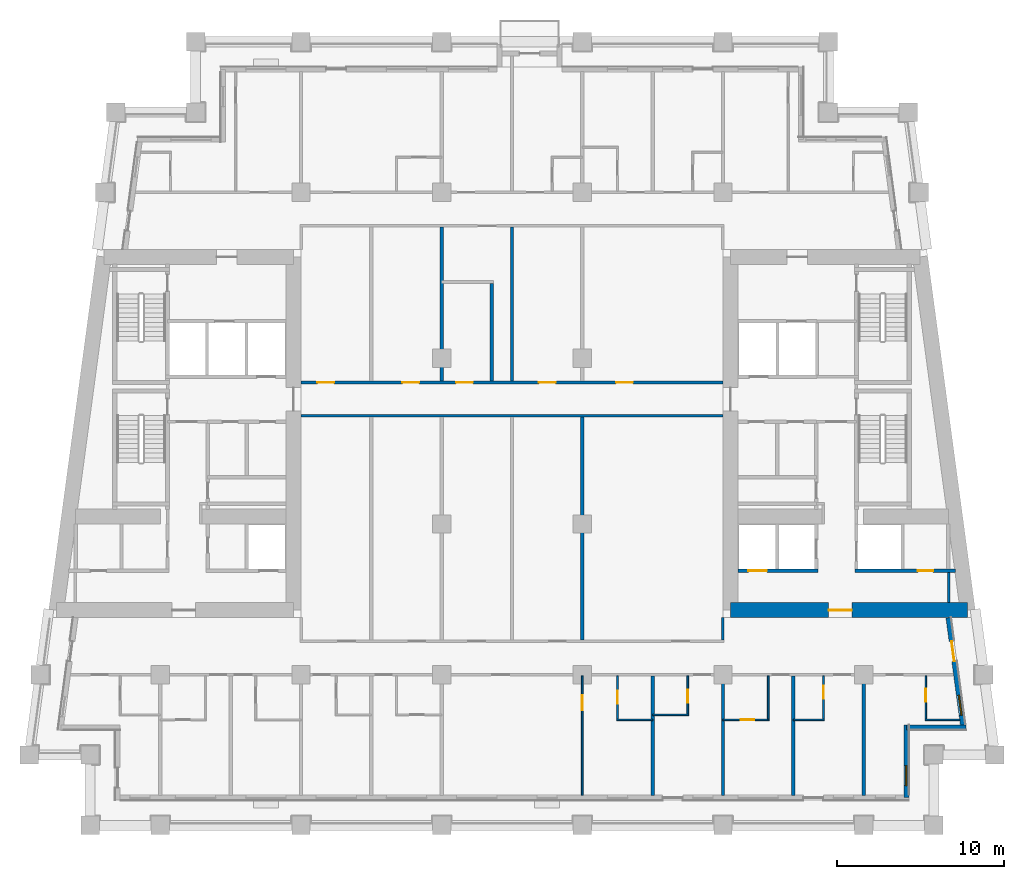
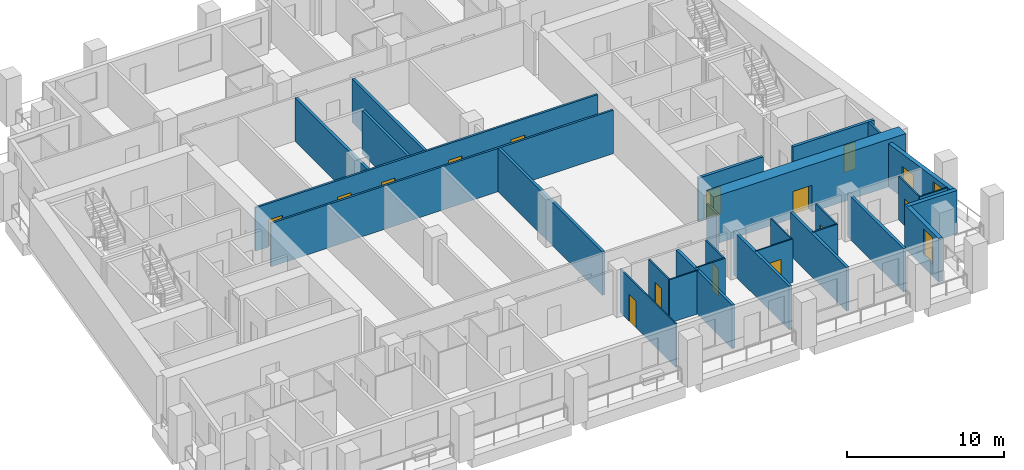
# One storey, part 5 of 14: 29 walls, 15 doors, 2 windows, 17 openings.
"""IFC4 building model written with IfcOpenShell, lengths in metres."""

from ifc_helpers import new_model, si_unit, direction, frame, frame_2d, origin, place, context, subcontext, project, spatial, rectangle, extrude, material, layer, layer_set, type_object, element, fill, save


model = new_model("IFC4")

# Units and contexts
model_context = context("Model", 3, precision=1e-05, world=origin(), true_north=direction((0.0, 1.0)))
body_context = subcontext(model_context, "Body", "Model", "MODEL_VIEW")
ifc_project = project(units=[si_unit("LENGTHUNIT", "METRE"), si_unit("AREAUNIT", "SQUARE_METRE"), si_unit("VOLUMEUNIT", "CUBIC_METRE"), si_unit("PLANEANGLEUNIT", "RADIAN"), si_unit("MASSUNIT", "GRAM", prefix="KILO")], contexts=[model_context])

# Site, building, storey
site_placement = place(None, origin())
site = spatial("IfcSite", under=ifc_project, at=site_placement, CompositionType="ELEMENT")
building_placement = place(site_placement, origin())
building = spatial("IfcBuilding", under=site, at=building_placement, Name="Candeia Pilgrim Tower and Theatre", CompositionType="ELEMENT")
storey_placement = place(building_placement, frame((0.0, 0.0, 173.699951171875)))
storey = spatial("IfcBuildingStorey", under=building, at=storey_placement, Name="L41", CompositionType="ELEMENT", Elevation=173.699951171875)

# Wall, opening, door
ifc_material_1 = material(Name="Concrete C60/75", Category="concrete")
ifc_layer_1 = layer(ifc_material_1, 0.89990234375)
ifc_layer_set_1 = layer_set([ifc_layer_1], Name="Core wall 900 C60/75")
wall_type_1 = type_object("IfcWallType", Name="Core wall 900 C60/75", PredefinedType="SHEAR", material=ifc_layer_set_1)
wall_1_placement = place(storey_placement, frame((140.6162109375, 110.85009765625, 0.0), z_axis=(0.0, 0.0, 1.0), x_axis=(-1.0, 0.0, 0.0)))
wall_1 = element("IfcWall", 1, at=wall_1_placement, inside=storey, type_object=wall_type_1, Name="Core wall E3", PredefinedType="SHEAR", context=body_context, shape_type="SweptSolid", body=[
    extrude(rectangle(XDim=14.166259765625, YDim=0.89990234375, at=frame_2d((7.0830078125, 0.0))), origin(), (0.0, 0.0, 1.0), 3.699951171875),
])
opening_1_placement = place(wall_1_placement, frame((6.911376953125, 0.0, 0.0)))
opening_1 = element("IfcOpeningElement", 2, at=opening_1_placement, cuts=wall_1, Name="Opening L41-D067", PredefinedType="OPENING", context=body_context, shape_type="SweptSolid", body=[
    extrude(rectangle(XDim=1.39990234375, YDim=2.10009765625, at=frame_2d((0.699951171875, 1.050048828125))), frame((0.0, 0.4599609375, 0.0), z_axis=(0.0, -1.0, 0.0), x_axis=(1.0, 0.0, 0.0)), (0.0, 0.0, 1.0), 0.919921875),
])
ifc_material_2 = material(Name="Steel fire door set", Category="steel")
door_type_1 = type_object("IfcDoorType", Name="D-1400-FD60", OperationType="NOTDEFINED", PredefinedType="DOOR", material=ifc_material_2)
door_1_placement = place(opening_1_placement, origin())
door_1 = element("IfcDoor", 3, at=door_1_placement, inside=storey, type_object=door_type_1, Name="Door L41-D067", OperationType="SINGLE_SWING_RIGHT", OverallHeight=2.10009765625, OverallWidth=1.39990234375, PredefinedType="DOOR", context=body_context, shape_type="SweptSolid", body=[
    extrude(rectangle(XDim=1.39990234375, YDim=2.10009765625, at=frame_2d((0.699951171875, 1.050048828125))), frame((0.0, 0.02490234375, 0.0), z_axis=(0.0, -1.0, 0.0), x_axis=(1.0, 0.0, 0.0)), (0.0, 0.0, 1.0), 0.050048828125),
])
fill(opening_1, door_1)

# Wall, opening, window
ifc_material_3 = material(Name="Ceramic block masonry", Category="masonry")
ifc_layer_2 = layer(ifc_material_3, 0.300048828125)
ifc_layer_set_2 = layer_set([ifc_layer_2], Name="EW1 glazing-line wall 300")
wall_type_2 = type_object("IfcWallType", Name="EW1 glazing-line wall 300", PredefinedType="SOLIDWALL", material=ifc_layer_set_2)
wall_2_placement = place(storey_placement, frame((136.949951171875, 99.64990234375, 0.0), z_axis=(0.0, 0.0, 1.0), x_axis=(0.0, 1.0, 0.0)))
wall_2 = element("IfcWall", 4, at=wall_2_placement, inside=storey, type_object=wall_type_2, Name="External wall L41-1.0", PredefinedType="SOLIDWALL", context=body_context, shape_type="SweptSolid", body=[
    extrude(rectangle(XDim=4.35009765625, YDim=0.300048828125, at=frame_2d((2.175048828125, 0.0))), origin(), (0.0, 0.0, 1.0), 3.380126953125),
])
opening_2_placement = place(wall_2_placement, frame((0.72509765625, 0.0, 0.89990234375)))
opening_2 = element("IfcOpeningElement", 5, at=opening_2_placement, cuts=wall_2, Name="Opening W-B", PredefinedType="OPENING", context=body_context, shape_type="SweptSolid", body=[
    extrude(rectangle(XDim=1.199951171875, YDim=2.10009765625, at=frame_2d((0.60009765625, 1.050048828125))), frame((0.0, 0.16015625, 0.0), z_axis=(0.0, -1.0, 0.0), x_axis=(1.0, 0.0, 0.0)), (0.0, 0.0, 1.0), 0.320068359375),
])
ifc_material_4 = material(Name="Aluminium framed double glazing", Category="aluminium")
window_type = type_object("IfcWindowType", Name="W-B window 1200x2100", PartitioningType="SINGLE_PANEL", PredefinedType="WINDOW", material=ifc_material_4)
window_1_placement = place(opening_2_placement, origin())
window_1 = element("IfcWindow", 6, at=window_1_placement, inside=storey, type_object=window_type, Name="Window W-B L41", OverallHeight=2.10009765625, OverallWidth=1.199951171875, PartitioningType="SINGLE_PANEL", PredefinedType="WINDOW", context=body_context, shape_type="SweptSolid", body=[
    extrude(rectangle(XDim=1.199951171875, YDim=2.10009765625, at=frame_2d((0.60009765625, 1.050048828125))), frame((0.0, 0.030029296875, 0.0), z_axis=(0.0, -1.0, 0.0), x_axis=(1.0, 0.0, 0.0)), (0.0, 0.0, 1.0), 0.06005859375),
])
fill(opening_2, window_1)

# Wall
wall_3_placement = place(storey_placement, frame((136.949951171875, 103.85009765625, 0.0), z_axis=(0.0, 0.0, 1.0), x_axis=(1.0, 0.0, 0.0)))
element("IfcWall", 7, at=wall_3_placement, inside=storey, type_object=wall_type_2, Name="External wall L41-2.0", PredefinedType="SOLIDWALL", context=body_context, shape_type="SweptSolid", body=[
    extrude(rectangle(XDim=3.569091796875, YDim=0.300048828125, at=frame_2d((1.78466796875, 0.0))), origin(), (0.0, 0.0, 1.0), 3.380126953125),
])

# Wall, openings, door, window
wall_4_placement = place(storey_placement, frame((140.34765625, 103.85009765625, 0.0), z_axis=(0.0, 0.0, 1.0), x_axis=(-0.133431549479, 0.991058031401, 0.0)))
wall_4 = element("IfcWall", 8, at=wall_4_placement, inside=storey, type_object=wall_type_2, Name="External wall L41-3.0", PredefinedType="SOLIDWALL", context=body_context, shape_type="SweptSolid", body=[
    extrude(rectangle(XDim=6.60888671875, YDim=0.300048828125, at=frame_2d((3.304443359375, 0.0))), origin(), (0.0, 0.0, 1.0), 3.380126953125),
])
opening_3_placement = place(wall_4_placement, frame((0.736572265625, 0.0, 0.89990234375)))
opening_3 = element("IfcOpeningElement", 9, at=opening_3_placement, cuts=wall_4, Name="Opening W-B", PredefinedType="OPENING", context=body_context, shape_type="SweptSolid", body=[
    extrude(rectangle(XDim=1.199951171875, YDim=2.10009765625, at=frame_2d((0.60009765625, 1.050048828125))), frame((0.0, 0.16015625, 0.0), z_axis=(0.0, -1.0, 0.0), x_axis=(1.0, 0.0, 0.0)), (0.0, 0.0, 1.0), 0.320068359375),
])
opening_4_placement = place(wall_4_placement, frame((3.990966796875, 0.0, 0.0)))
opening_4 = element("IfcOpeningElement", 10, at=opening_4_placement, cuts=wall_4, Name="Opening L41-ED394", PredefinedType="OPENING", context=body_context, shape_type="SweptSolid", body=[
    extrude(rectangle(XDim=1.199951171875, YDim=2.39990234375, at=frame_2d((0.60009765625, 1.199951171875))), frame((0.0, 0.16015625, 0.0), z_axis=(0.0, -1.0, 0.0), x_axis=(1.0, 0.0, 0.0)), (0.0, 0.0, 1.0), 0.320068359375),
])
ifc_material_5 = material(Name="Aluminium framed glazed door", Category="aluminium")
door_type_2 = type_object("IfcDoorType", Name="Loggia door 1200x2400", OperationType="DOUBLE_DOOR_SINGLE_SWING", PredefinedType="DOOR", material=ifc_material_5)
door_2_placement = place(opening_4_placement, origin())
door_2 = element("IfcDoor", 11, at=door_2_placement, inside=storey, type_object=door_type_2, Name="Loggia door L41-ED394", OperationType="DOUBLE_DOOR_SINGLE_SWING", OverallHeight=2.39990234375, OverallWidth=1.199951171875, PredefinedType="DOOR", context=body_context, shape_type="SweptSolid", body=[
    extrude(rectangle(XDim=1.199951171875, YDim=2.39990234375, at=frame_2d((0.60009765625, 1.199951171875))), frame((0.0, 0.02490234375, 0.0), z_axis=(0.0, -1.0, 0.0), x_axis=(1.0, 0.0, 0.0)), (0.0, 0.0, 1.0), 0.050048828125),
])
fill(opening_4, door_2)
window_2_placement = place(opening_3_placement, origin())
window_2 = element("IfcWindow", 12, at=window_2_placement, inside=storey, type_object=window_type, Name="Window W-B L41", OverallHeight=2.10009765625, OverallWidth=1.199951171875, PartitioningType="SINGLE_PANEL", PredefinedType="WINDOW", context=body_context, shape_type="SweptSolid", body=[
    extrude(rectangle(XDim=1.199951171875, YDim=2.10009765625, at=frame_2d((0.60009765625, 1.050048828125))), frame((0.0, 0.030029296875, 0.0), z_axis=(0.0, -1.0, 0.0), x_axis=(1.0, 0.0, 0.0)), (0.0, 0.0, 1.0), 0.06005859375),
])
fill(opening_3, window_2)

# Wall
ifc_material_6 = material(Name="Gypsum board partition on steel studs", Category="steel")
ifc_layer_3 = layer(ifc_material_6, 0.10009765625)
ifc_layer_set_3 = layer_set([ifc_layer_3], Name="PW-100 room partition")
wall_type_3 = type_object("IfcWallType", Name="PW-100 room partition", PredefinedType="PARTITIONING", material=ifc_layer_set_3)
wall_5_placement = place(storey_placement, frame((119.64990234375, 104.300048828125, 0.0), z_axis=(0.0, 0.0, 1.0), x_axis=(1.0, 0.0, 0.0)))
element("IfcWall", 13, at=wall_5_placement, inside=storey, type_object=wall_type_3, Name="Room partition L41-003", PredefinedType="PARTITIONING", context=body_context, shape_type="SweptSolid", body=[
    extrude(rectangle(XDim=2.150146484375, YDim=0.10009765625, at=frame_2d((1.0751953125, 0.0))), origin(), (0.0, 0.0, 1.0), 3.380126953125),
])

# Wall, opening, door
wall_6_placement = place(storey_placement, frame((126.0, 104.300048828125, 0.0), z_axis=(0.0, 0.0, 1.0), x_axis=(1.0, 0.0, 0.0)))
wall_6 = element("IfcWall", 14, at=wall_6_placement, inside=storey, type_object=wall_type_3, Name="Room partition L41-004", PredefinedType="PARTITIONING", context=body_context, shape_type="SweptSolid", body=[
    extrude(rectangle(XDim=2.75, YDim=0.10009765625, at=frame_2d((1.375, 0.0))), origin(), (0.0, 0.0, 1.0), 3.380126953125),
])
opening_5_placement = place(wall_6_placement, frame((1.070068359375, 0.0, 0.0)))
opening_5 = element("IfcOpeningElement", 15, at=opening_5_placement, cuts=wall_6, Name="Opening L41-D033", PredefinedType="OPENING", context=body_context, shape_type="SweptSolid", body=[
    extrude(rectangle(XDim=0.800048828125, YDim=2.10009765625, at=frame_2d((0.39990234375, 1.050048828125))), frame((0.0, 0.06005859375, 0.0), z_axis=(0.0, -1.0, 0.0), x_axis=(1.0, 0.0, 0.0)), (0.0, 0.0, 1.0), 0.1201171875),
])
ifc_material_7 = material(Name="Timber door leaf", Category="wood")
door_type_3 = type_object("IfcDoorType", Name="D-800", OperationType="NOTDEFINED", PredefinedType="DOOR", material=ifc_material_7)
door_3_placement = place(opening_5_placement, origin())
door_3 = element("IfcDoor", 16, at=door_3_placement, inside=storey, type_object=door_type_3, Name="Door L41-D033", OperationType="SINGLE_SWING_RIGHT", OverallHeight=2.10009765625, OverallWidth=0.800048828125, PredefinedType="DOOR", context=body_context, shape_type="SweptSolid", body=[
    extrude(rectangle(XDim=0.800048828125, YDim=2.10009765625, at=frame_2d((0.39990234375, 1.050048828125))), frame((0.0, 0.02490234375, 0.0), z_axis=(0.0, -1.0, 0.0), x_axis=(1.0, 0.0, 0.0)), (0.0, 0.0, 1.0), 0.050048828125),
])
fill(opening_5, door_3)

# Walls
wall_7_placement = place(storey_placement, frame((130.199951171875, 104.300048828125, 0.0), z_axis=(0.0, 0.0, 1.0), x_axis=(1.0, 0.0, 0.0)))
element("IfcWall", 17, at=wall_7_placement, inside=storey, type_object=wall_type_3, Name="Room partition L41-005", PredefinedType="PARTITIONING", context=body_context, shape_type="SweptSolid", body=[
    extrude(rectangle(XDim=1.85009765625, YDim=0.10009765625, at=frame_2d((0.925048828125, 0.0))), origin(), (0.0, 0.0, 1.0), 3.380126953125),
])
wall_8_placement = place(storey_placement, frame((138.070068359375, 104.300048828125, 0.0), z_axis=(0.0, 0.0, 1.0), x_axis=(1.0, 0.0, 0.0)))
element("IfcWall", 18, at=wall_8_placement, inside=storey, type_object=wall_type_3, Name="Room partition L41-006", PredefinedType="PARTITIONING", context=body_context, shape_type="SweptSolid", body=[
    extrude(rectangle(XDim=2.07568359375, YDim=0.10009765625, at=frame_2d((1.037841796875, 0.0))), origin(), (0.0, 0.0, 1.0), 3.380126953125),
])
wall_9_placement = place(storey_placement, frame((121.800048828125, 104.60009765625, 0.0), z_axis=(0.0, 0.0, 1.0), x_axis=(1.0, 0.0, 0.0)))
element("IfcWall", 19, at=wall_9_placement, inside=storey, type_object=wall_type_3, Name="Room partition L41-010", PredefinedType="PARTITIONING", context=body_context, shape_type="SweptSolid", body=[
    extrude(rectangle(XDim=2.14990234375, YDim=0.10009765625, at=frame_2d((1.074951171875, 0.0))), origin(), (0.0, 0.0, 1.0), 3.380126953125),
])

# Wall, opening, door
wall_10_placement = place(storey_placement, frame((117.60009765625, 99.7900390625, 0.0), z_axis=(0.0, 0.0, 1.0), x_axis=(0.0, 1.0, 0.0)))
wall_10 = element("IfcWall", 20, at=wall_10_placement, inside=storey, type_object=wall_type_3, Name="Room partition L41-095", PredefinedType="PARTITIONING", context=body_context, shape_type="SweptSolid", body=[
    extrude(rectangle(XDim=7.135009765625, YDim=0.10009765625, at=frame_2d((3.5673828125, 0.0))), origin(), (0.0, 0.0, 1.0), 3.380126953125),
])
opening_6_placement = place(wall_10_placement, frame((5.074951171875, 0.0, 0.0)))
opening_6 = element("IfcOpeningElement", 21, at=opening_6_placement, cuts=wall_10, Name="Opening L41-D028", PredefinedType="OPENING", context=body_context, shape_type="SweptSolid", body=[
    extrude(rectangle(XDim=0.89990234375, YDim=2.10009765625, at=frame_2d((0.449951171875, 1.050048828125))), frame((0.0, 0.06005859375, 0.0), z_axis=(0.0, -1.0, 0.0), x_axis=(1.0, 0.0, 0.0)), (0.0, 0.0, 1.0), 0.1201171875),
])
door_type_4 = type_object("IfcDoorType", Name="D-900", OperationType="NOTDEFINED", PredefinedType="DOOR", material=ifc_material_7)
door_4_placement = place(opening_6_placement, origin())
door_4 = element("IfcDoor", 22, at=door_4_placement, inside=storey, type_object=door_type_4, Name="Door L41-D028", OperationType="SINGLE_SWING_LEFT", OverallHeight=2.10009765625, OverallWidth=0.89990234375, PredefinedType="DOOR", context=body_context, shape_type="SweptSolid", body=[
    extrude(rectangle(XDim=0.89990234375, YDim=2.10009765625, at=frame_2d((0.449951171875, 1.050048828125))), frame((0.0, 0.02490234375, 0.0), z_axis=(0.0, -1.0, 0.0), x_axis=(1.0, 0.0, 0.0)), (0.0, 0.0, 1.0), 0.050048828125),
])
fill(opening_6, door_4)

wall_11_placement = place(storey_placement, frame((119.699951171875, 104.35009765625, 0.0), z_axis=(0.0, 0.0, 1.0), x_axis=(0.0, 1.0, 0.0)))
wall_11 = element("IfcWall", 23, at=wall_11_placement, inside=storey, type_object=wall_type_3, Name="Room partition L41-099", PredefinedType="PARTITIONING", context=body_context, shape_type="SweptSolid", body=[
    extrude(rectangle(XDim=2.574951171875, YDim=0.10009765625, at=frame_2d((1.28759765625, 0.0))), origin(), (0.0, 0.0, 1.0), 3.380126953125),
])
opening_7_placement = place(wall_11_placement, frame((0.89990234375, 0.0, 0.0)))
opening_7 = element("IfcOpeningElement", 24, at=opening_7_placement, cuts=wall_11, Name="Opening L41-D029", PredefinedType="OPENING", context=body_context, shape_type="SweptSolid", body=[
    extrude(rectangle(XDim=0.800048828125, YDim=2.10009765625, at=frame_2d((0.39990234375, 1.050048828125))), frame((0.0, 0.06005859375, 0.0), z_axis=(0.0, -1.0, 0.0), x_axis=(1.0, 0.0, 0.0)), (0.0, 0.0, 1.0), 0.1201171875),
])
door_5_placement = place(opening_7_placement, origin())
door_5 = element("IfcDoor", 25, at=door_5_placement, inside=storey, type_object=door_type_3, Name="Door L41-D029", OperationType="SINGLE_SWING_RIGHT", OverallHeight=2.10009765625, OverallWidth=0.800048828125, PredefinedType="DOOR", context=body_context, shape_type="SweptSolid", body=[
    extrude(rectangle(XDim=0.800048828125, YDim=2.10009765625, at=frame_2d((0.39990234375, 1.050048828125))), frame((0.0, 0.02490234375, 0.0), z_axis=(0.0, -1.0, 0.0), x_axis=(1.0, 0.0, 0.0)), (0.0, 0.0, 1.0), 0.050048828125),
])
fill(opening_7, door_5)

wall_12_placement = place(storey_placement, frame((123.89990234375, 104.64990234375, 0.0), z_axis=(0.0, 0.0, 1.0), x_axis=(0.0, 1.0, 0.0)))
wall_12 = element("IfcWall", 26, at=wall_12_placement, inside=storey, type_object=wall_type_3, Name="Room partition L41-103", PredefinedType="PARTITIONING", context=body_context, shape_type="SweptSolid", body=[
    extrude(rectangle(XDim=2.275146484375, YDim=0.10009765625, at=frame_2d((1.1376953125, 0.0))), origin(), (0.0, 0.0, 1.0), 3.380126953125),
])
opening_8_placement = place(wall_12_placement, frame((0.659912109375, 0.0, 0.0)))
opening_8 = element("IfcOpeningElement", 27, at=opening_8_placement, cuts=wall_12, Name="Opening L41-D031", PredefinedType="OPENING", context=body_context, shape_type="SweptSolid", body=[
    extrude(rectangle(XDim=0.800048828125, YDim=2.10009765625, at=frame_2d((0.39990234375, 1.050048828125))), frame((0.0, 0.06005859375, 0.0), z_axis=(0.0, -1.0, 0.0), x_axis=(1.0, 0.0, 0.0)), (0.0, 0.0, 1.0), 0.1201171875),
])
door_6_placement = place(opening_8_placement, origin())
door_6 = element("IfcDoor", 28, at=door_6_placement, inside=storey, type_object=door_type_3, Name="Door L41-D031", OperationType="SINGLE_SWING_RIGHT", OverallHeight=2.10009765625, OverallWidth=0.800048828125, PredefinedType="DOOR", context=body_context, shape_type="SweptSolid", body=[
    extrude(rectangle(XDim=0.800048828125, YDim=2.10009765625, at=frame_2d((0.39990234375, 1.050048828125))), frame((0.0, 0.02490234375, 0.0), z_axis=(0.0, -1.0, 0.0), x_axis=(1.0, 0.0, 0.0)), (0.0, 0.0, 1.0), 0.050048828125),
])
fill(opening_8, door_6)

# Wall
wall_13_placement = place(storey_placement, frame((128.699951171875, 104.35009765625, 0.0), z_axis=(0.0, 0.0, 1.0), x_axis=(0.0, 1.0, 0.0)))
element("IfcWall", 29, at=wall_13_placement, inside=storey, type_object=wall_type_3, Name="Room partition L41-109", PredefinedType="PARTITIONING", context=body_context, shape_type="SweptSolid", body=[
    extrude(rectangle(XDim=2.574951171875, YDim=0.10009765625, at=frame_2d((1.28759765625, 0.0))), origin(), (0.0, 0.0, 1.0), 3.380126953125),
])

# Wall, opening, door
wall_14_placement = place(storey_placement, frame((132.0, 104.35009765625, 0.0), z_axis=(0.0, 0.0, 1.0), x_axis=(0.0, 1.0, 0.0)))
wall_14 = element("IfcWall", 30, at=wall_14_placement, inside=storey, type_object=wall_type_3, Name="Room partition L41-118", PredefinedType="PARTITIONING", context=body_context, shape_type="SweptSolid", body=[
    extrude(rectangle(XDim=2.574951171875, YDim=0.10009765625, at=frame_2d((1.28759765625, 0.0))), origin(), (0.0, 0.0, 1.0), 3.380126953125),
])
opening_9_placement = place(wall_14_placement, frame((1.199951171875, 0.0, 0.0)))
opening_9 = element("IfcOpeningElement", 31, at=opening_9_placement, cuts=wall_14, Name="Opening L41-D035", PredefinedType="OPENING", context=body_context, shape_type="SweptSolid", body=[
    extrude(rectangle(XDim=0.800048828125, YDim=2.10009765625, at=frame_2d((0.39990234375, 1.050048828125))), frame((0.0, 0.06005859375, 0.0), z_axis=(0.0, -1.0, 0.0), x_axis=(1.0, 0.0, 0.0)), (0.0, 0.0, 1.0), 0.1201171875),
])
door_7_placement = place(opening_9_placement, origin())
door_7 = element("IfcDoor", 32, at=door_7_placement, inside=storey, type_object=door_type_3, Name="Door L41-D035", OperationType="SINGLE_SWING_RIGHT", OverallHeight=2.10009765625, OverallWidth=0.800048828125, PredefinedType="DOOR", context=body_context, shape_type="SweptSolid", body=[
    extrude(rectangle(XDim=0.800048828125, YDim=2.10009765625, at=frame_2d((0.39990234375, 1.050048828125))), frame((0.0, 0.02490234375, 0.0), z_axis=(0.0, -1.0, 0.0), x_axis=(1.0, 0.0, 0.0)), (0.0, 0.0, 1.0), 0.050048828125),
])
fill(opening_9, door_7)

wall_15_placement = place(storey_placement, frame((138.1201171875, 104.35009765625, 0.0), z_axis=(0.0, 0.0, 1.0), x_axis=(0.0, 1.0, 0.0)))
wall_15 = element("IfcWall", 33, at=wall_15_placement, inside=storey, type_object=wall_type_3, Name="Room partition L41-130", PredefinedType="PARTITIONING", context=body_context, shape_type="SweptSolid", body=[
    extrude(rectangle(XDim=2.574951171875, YDim=0.10009765625, at=frame_2d((1.28759765625, 0.0))), origin(), (0.0, 0.0, 1.0), 3.380126953125),
])
opening_10_placement = place(wall_15_placement, frame((1.02001953125, 0.0, 0.0)))
opening_10 = element("IfcOpeningElement", 34, at=opening_10_placement, cuts=wall_15, Name="Opening L41-D037", PredefinedType="OPENING", context=body_context, shape_type="SweptSolid", body=[
    extrude(rectangle(XDim=0.800048828125, YDim=2.10009765625, at=frame_2d((0.39990234375, 1.050048828125))), frame((0.0, 0.06005859375, 0.0), z_axis=(0.0, -1.0, 0.0), x_axis=(1.0, 0.0, 0.0)), (0.0, 0.0, 1.0), 0.1201171875),
])
door_8_placement = place(opening_10_placement, origin())
door_8 = element("IfcDoor", 35, at=door_8_placement, inside=storey, type_object=door_type_3, Name="Door L41-D037", OperationType="SINGLE_SWING_RIGHT", OverallHeight=2.10009765625, OverallWidth=0.800048828125, PredefinedType="DOOR", context=body_context, shape_type="SweptSolid", body=[
    extrude(rectangle(XDim=0.800048828125, YDim=2.10009765625, at=frame_2d((0.39990234375, 1.050048828125))), frame((0.0, 0.02490234375, 0.0), z_axis=(0.0, -1.0, 0.0), x_axis=(1.0, 0.0, 0.0)), (0.0, 0.0, 1.0), 0.050048828125),
])
fill(opening_10, door_8)

# Walls
ifc_layer_4 = layer(ifc_material_6, 0.14990234375)
ifc_layer_set_4 = layer_set([ifc_layer_4], Name="PW-150 lobby wall")
wall_type_4 = type_object("IfcWallType", Name="PW-150 lobby wall", PredefinedType="PARTITIONING", material=ifc_layer_set_4)
wall_16_placement = place(storey_placement, frame((139.471923828125, 111.300048828125, 0.0), z_axis=(0.0, 0.0, 1.0), x_axis=(0.0, 1.0, 0.0)))
element("IfcWall", 36, at=wall_16_placement, inside=storey, type_object=wall_type_4, Name="Lobby wall L41-132", PredefinedType="PARTITIONING", context=body_context, shape_type="SweptSolid", body=[
    extrude(rectangle(XDim=1.800048828125, YDim=0.14990234375, at=frame_2d((0.89990234375, 0.0))), origin(), (0.0, 0.0, 1.0), 3.380126953125),
])
ifc_layer_5 = layer(ifc_material_6, 0.14990234375)
ifc_layer_set_5 = layer_set([ifc_layer_5], Name="PW-150 unit wall")
wall_type_5 = type_object("IfcWallType", Name="PW-150 unit wall", PredefinedType="PARTITIONING", material=ifc_layer_set_5)
wall_17_placement = place(storey_placement, frame((100.800048828125, 122.449951171875, 0.0), z_axis=(0.0, 0.0, 1.0), x_axis=(1.0, 0.0, 0.0)))
element("IfcWall", 37, at=wall_17_placement, inside=storey, type_object=wall_type_5, Name="Unit wall L41-029", PredefinedType="PARTITIONING", context=body_context, shape_type="SweptSolid", body=[
    extrude(rectangle(XDim=25.199951171875, YDim=0.14990234375, at=frame_2d((12.60009765625, 0.0))), origin(), (0.0, 0.0, 1.0), 3.380126953125),
])

# Wall, openings, doors
wall_18_placement = place(storey_placement, frame((100.800048828125, 124.449951171875, 0.0), z_axis=(0.0, 0.0, 1.0), x_axis=(1.0, 0.0, 0.0)))
wall_18 = element("IfcWall", 38, at=wall_18_placement, inside=storey, type_object=wall_type_5, Name="Unit wall L41-034", PredefinedType="PARTITIONING", context=body_context, shape_type="SweptSolid", body=[
    extrude(rectangle(XDim=25.199951171875, YDim=0.14990234375, at=frame_2d((12.60009765625, 0.0))), origin(), (0.0, 0.0, 1.0), 3.380126953125),
])
opening_11_placement = place(wall_18_placement, frame((0.97509765625, 0.0, 0.0)))
opening_11 = element("IfcOpeningElement", 39, at=opening_11_placement, cuts=wall_18, Name="Opening L41-D059", PredefinedType="OPENING", context=body_context, shape_type="SweptSolid", body=[
    extrude(rectangle(XDim=1.0, YDim=2.10009765625, at=frame_2d((0.5, 1.050048828125))), frame((0.0, 0.0849609375, 0.0), z_axis=(0.0, -1.0, 0.0), x_axis=(1.0, 0.0, 0.0)), (0.0, 0.0, 1.0), 0.169921875),
])
opening_12_placement = place(wall_18_placement, frame((6.050048828125, 0.0, 0.0)))
opening_12 = element("IfcOpeningElement", 40, at=opening_12_placement, cuts=wall_18, Name="Opening L41-D060", PredefinedType="OPENING", context=body_context, shape_type="SweptSolid", body=[
    extrude(rectangle(XDim=1.0, YDim=2.10009765625, at=frame_2d((0.5, 1.050048828125))), frame((0.0, 0.0849609375, 0.0), z_axis=(0.0, -1.0, 0.0), x_axis=(1.0, 0.0, 0.0)), (0.0, 0.0, 1.0), 0.169921875),
])
opening_13_placement = place(wall_18_placement, frame((9.27001953125, 0.0, 0.0)))
opening_13 = element("IfcOpeningElement", 41, at=opening_13_placement, cuts=wall_18, Name="Opening L41-D061", PredefinedType="OPENING", context=body_context, shape_type="SweptSolid", body=[
    extrude(rectangle(XDim=1.0, YDim=2.10009765625, at=frame_2d((0.5, 1.050048828125))), frame((0.0, 0.0849609375, 0.0), z_axis=(0.0, -1.0, 0.0), x_axis=(1.0, 0.0, 0.0)), (0.0, 0.0, 1.0), 0.169921875),
])
opening_14_placement = place(wall_18_placement, frame((14.199951171875, 0.0, 0.0)))
opening_14 = element("IfcOpeningElement", 42, at=opening_14_placement, cuts=wall_18, Name="Opening L41-D062", PredefinedType="OPENING", context=body_context, shape_type="SweptSolid", body=[
    extrude(rectangle(XDim=1.0, YDim=2.10009765625, at=frame_2d((0.5, 1.050048828125))), frame((0.0, 0.0849609375, 0.0), z_axis=(0.0, -1.0, 0.0), x_axis=(1.0, 0.0, 0.0)), (0.0, 0.0, 1.0), 0.169921875),
])
opening_15_placement = place(wall_18_placement, frame((18.824951171875, 0.0, 0.0)))
opening_15 = element("IfcOpeningElement", 43, at=opening_15_placement, cuts=wall_18, Name="Opening L41-D063", PredefinedType="OPENING", context=body_context, shape_type="SweptSolid", body=[
    extrude(rectangle(XDim=1.0, YDim=2.10009765625, at=frame_2d((0.5, 1.050048828125))), frame((0.0, 0.0849609375, 0.0), z_axis=(0.0, -1.0, 0.0), x_axis=(1.0, 0.0, 0.0)), (0.0, 0.0, 1.0), 0.169921875),
])
door_type_5 = type_object("IfcDoorType", Name="D-1000-FD30S", OperationType="NOTDEFINED", PredefinedType="DOOR", material=ifc_material_2)
door_9_placement = place(opening_11_placement, origin())
door_9 = element("IfcDoor", 44, at=door_9_placement, inside=storey, type_object=door_type_5, Name="Door L41-D059", OperationType="SINGLE_SWING_RIGHT", OverallHeight=2.10009765625, OverallWidth=1.0, PredefinedType="DOOR", context=body_context, shape_type="SweptSolid", body=[
    extrude(rectangle(XDim=1.0, YDim=2.10009765625, at=frame_2d((0.5, 1.050048828125))), frame((0.0, 0.02490234375, 0.0), z_axis=(0.0, -1.0, 0.0), x_axis=(1.0, 0.0, 0.0)), (0.0, 0.0, 1.0), 0.050048828125),
])
fill(opening_11, door_9)
door_10_placement = place(opening_12_placement, origin())
door_10 = element("IfcDoor", 45, at=door_10_placement, inside=storey, type_object=door_type_5, Name="Door L41-D060", OperationType="SINGLE_SWING_LEFT", OverallHeight=2.10009765625, OverallWidth=1.0, PredefinedType="DOOR", context=body_context, shape_type="SweptSolid", body=[
    extrude(rectangle(XDim=1.0, YDim=2.10009765625, at=frame_2d((0.5, 1.050048828125))), frame((0.0, 0.02490234375, 0.0), z_axis=(0.0, -1.0, 0.0), x_axis=(1.0, 0.0, 0.0)), (0.0, 0.0, 1.0), 0.050048828125),
])
fill(opening_12, door_10)
door_11_placement = place(opening_13_placement, origin())
door_11 = element("IfcDoor", 46, at=door_11_placement, inside=storey, type_object=door_type_5, Name="Door L41-D061", OperationType="SINGLE_SWING_RIGHT", OverallHeight=2.10009765625, OverallWidth=1.0, PredefinedType="DOOR", context=body_context, shape_type="SweptSolid", body=[
    extrude(rectangle(XDim=1.0, YDim=2.10009765625, at=frame_2d((0.5, 1.050048828125))), frame((0.0, 0.02490234375, 0.0), z_axis=(0.0, -1.0, 0.0), x_axis=(1.0, 0.0, 0.0)), (0.0, 0.0, 1.0), 0.050048828125),
])
fill(opening_13, door_11)
door_12_placement = place(opening_14_placement, origin())
door_12 = element("IfcDoor", 47, at=door_12_placement, inside=storey, type_object=door_type_5, Name="Door L41-D062", OperationType="SINGLE_SWING_LEFT", OverallHeight=2.10009765625, OverallWidth=1.0, PredefinedType="DOOR", context=body_context, shape_type="SweptSolid", body=[
    extrude(rectangle(XDim=1.0, YDim=2.10009765625, at=frame_2d((0.5, 1.050048828125))), frame((0.0, 0.02490234375, 0.0), z_axis=(0.0, -1.0, 0.0), x_axis=(1.0, 0.0, 0.0)), (0.0, 0.0, 1.0), 0.050048828125),
])
fill(opening_14, door_12)
door_13_placement = place(opening_15_placement, origin())
door_13 = element("IfcDoor", 48, at=door_13_placement, inside=storey, type_object=door_type_5, Name="Door L41-D063", OperationType="SINGLE_SWING_RIGHT", OverallHeight=2.10009765625, OverallWidth=1.0, PredefinedType="DOOR", context=body_context, shape_type="SweptSolid", body=[
    extrude(rectangle(XDim=1.0, YDim=2.10009765625, at=frame_2d((0.5, 1.050048828125))), frame((0.0, 0.02490234375, 0.0), z_axis=(0.0, -1.0, 0.0), x_axis=(1.0, 0.0, 0.0)), (0.0, 0.0, 1.0), 0.050048828125),
])
fill(opening_15, door_13)

# Walls
wall_19_placement = place(storey_placement, frame((126.0, 109.074951171875, 0.0), z_axis=(0.0, 0.0, 1.0), x_axis=(0.0, 1.0, 0.0)))
element("IfcWall", 49, at=wall_19_placement, inside=storey, type_object=wall_type_5, Name="Unit wall L41-107", PredefinedType="PARTITIONING", context=body_context, shape_type="SweptSolid", body=[
    extrude(rectangle(XDim=1.324951171875, YDim=0.14990234375, at=frame_2d((0.66259765625, 0.0))), origin(), (0.0, 0.0, 1.0), 3.380126953125),
])
ifc_layer_6 = layer(ifc_material_6, 0.199951171875)
ifc_layer_set_6 = layer_set([ifc_layer_6], Name="PW-200 party wall")
wall_type_6 = type_object("IfcWallType", Name="PW-200 party wall", PredefinedType="PARTITIONING", material=ifc_layer_set_6)
wall_20_placement = place(storey_placement, frame((109.199951171875, 124.52490234375, 0.0), z_axis=(0.0, 0.0, 1.0), x_axis=(0.0, 1.0, 0.0)))
element("IfcWall", 50, at=wall_20_placement, inside=storey, type_object=wall_type_6, Name="Party wall L41-088", PredefinedType="PARTITIONING", context=body_context, shape_type="SweptSolid", body=[
    extrude(rectangle(XDim=9.2001953125, YDim=0.199951171875, at=frame_2d((4.60009765625, 0.0))), origin(), (0.0, 0.0, 1.0), 3.380126953125),
])
wall_21_placement = place(storey_placement, frame((112.199951171875, 124.52490234375, 0.0), z_axis=(0.0, 0.0, 1.0), x_axis=(0.0, 1.0, 0.0)))
element("IfcWall", 51, at=wall_21_placement, inside=storey, type_object=wall_type_6, Name="Party wall L41-090", PredefinedType="PARTITIONING", context=body_context, shape_type="SweptSolid", body=[
    extrude(rectangle(XDim=5.8251953125, YDim=0.199951171875, at=frame_2d((2.91259765625, 0.0))), origin(), (0.0, 0.0, 1.0), 3.380126953125),
])
wall_22_placement = place(storey_placement, frame((113.39990234375, 124.52490234375, 0.0), z_axis=(0.0, 0.0, 1.0), x_axis=(0.0, 1.0, 0.0)))
element("IfcWall", 52, at=wall_22_placement, inside=storey, type_object=wall_type_6, Name="Party wall L41-092", PredefinedType="PARTITIONING", context=body_context, shape_type="SweptSolid", body=[
    extrude(rectangle(XDim=9.2001953125, YDim=0.199951171875, at=frame_2d((4.60009765625, 0.0))), origin(), (0.0, 0.0, 1.0), 3.380126953125),
])
wall_23_placement = place(storey_placement, frame((117.60009765625, 109.074951171875, 0.0), z_axis=(0.0, 0.0, 1.0), x_axis=(0.0, 1.0, 0.0)))
element("IfcWall", 53, at=wall_23_placement, inside=storey, type_object=wall_type_6, Name="Party wall L41-096", PredefinedType="PARTITIONING", context=body_context, shape_type="SweptSolid", body=[
    extrude(rectangle(XDim=13.300048828125, YDim=0.199951171875, at=frame_2d((6.64990234375, 0.0))), origin(), (0.0, 0.0, 1.0), 3.380126953125),
])
for number, where, z_axis, x_axis, name in (
    (54, (121.800048828125, 99.7900390625, 0.0), (0.0, 0.0, 1.0), (0.0, 1.0, 0.0), "Party wall L41-101"),
    (55, (126.0, 99.7900390625, 0.0), (0.0, 0.0, 1.0), (0.0, 1.0, 0.0), "Party wall L41-105"),
    (56, (130.199951171875, 99.7900390625, 0.0), (0.0, 0.0, 1.0), (0.0, 1.0, 0.0), "Party wall L41-114"),
    (57, (134.39990234375, 99.7900390625, 0.0), (0.0, 0.0, 1.0), (0.0, 1.0, 0.0), "Party wall L41-126"),
):
    element("IfcWall", number, at=place(storey_placement, frame(where, z_axis=z_axis, x_axis=x_axis)), inside=storey, type_object=wall_type_6, Name=name, PredefinedType="PARTITIONING", context=body_context, shape_type="SweptSolid", body=[
        extrude(rectangle(XDim=7.135009765625, YDim=0.199951171875, at=frame_2d((3.5673828125, 0.0))), origin(), (0.0, 0.0, 1.0), 3.380126953125),
    ])

# Wall, opening, door
ifc_material_8 = material(Name="Concrete C40/50", Category="concrete")
ifc_layer_7 = layer(ifc_material_8, 0.199951171875)
ifc_layer_set_7 = layer_set([ifc_layer_7], Name="SW-200 shaft wall")
wall_type_7 = type_object("IfcWallType", Name="SW-200 shaft wall", PredefinedType="PARTITIONING", material=ifc_layer_set_7)
wall_24_placement = place(storey_placement, frame((126.89990234375, 113.199951171875, 0.0), z_axis=(0.0, 0.0, 1.0), x_axis=(1.0, 0.0, 0.0)))
wall_24 = element("IfcWall", 58, at=wall_24_placement, inside=storey, type_object=wall_type_7, Name="Shaft wall L41-015", PredefinedType="PARTITIONING", context=body_context, shape_type="SweptSolid", body=[
    extrude(rectangle(XDim=4.773193359375, YDim=0.199951171875, at=frame_2d((2.38671875, 0.0))), origin(), (0.0, 0.0, 1.0), 3.380126953125),
])
opening_16_placement = place(wall_24_placement, frame((0.617919921875, 0.0, 0.0)))
opening_16 = element("IfcOpeningElement", 59, at=opening_16_placement, cuts=wall_24, Name="Opening L41-LD08", PredefinedType="OPENING", context=body_context, shape_type="SweptSolid", body=[
    extrude(rectangle(XDim=1.10009765625, YDim=2.10009765625, at=frame_2d((0.550048828125, 1.050048828125))), frame((0.0, 0.10986328125, 0.0), z_axis=(0.0, -1.0, 0.0), x_axis=(1.0, 0.0, 0.0)), (0.0, 0.0, 1.0), 0.219970703125),
])
ifc_material_9 = material(Name="Glazed aluminium landing door", Category="aluminium")
door_type_6 = type_object("IfcDoorType", Name="LD-1100-EI120", OperationType="SLIDING_TO_LEFT", PredefinedType="DOOR", material=ifc_material_9)
door_14_placement = place(opening_16_placement, origin())
door_14 = element("IfcDoor", 60, at=door_14_placement, inside=storey, type_object=door_type_6, Name="Landing door 08 L41", OperationType="SLIDING_TO_LEFT", OverallHeight=2.10009765625, OverallWidth=1.10009765625, PredefinedType="DOOR", context=body_context, shape_type="SweptSolid", body=[
    extrude(rectangle(XDim=1.10009765625, YDim=2.10009765625, at=frame_2d((0.550048828125, 1.050048828125))), frame((0.0, 0.02490234375, 0.0), z_axis=(0.0, -1.0, 0.0), x_axis=(1.0, 0.0, 0.0)), (0.0, 0.0, 1.0), 0.050048828125),
])
fill(opening_16, door_14)

wall_25_placement = place(storey_placement, frame((133.873046875, 113.199951171875, 0.0), z_axis=(0.0, 0.0, 1.0), x_axis=(1.0, 0.0, 0.0)))
wall_25 = element("IfcWall", 61, at=wall_25_placement, inside=storey, type_object=wall_type_7, Name="Shaft wall L41-016", PredefinedType="PARTITIONING", context=body_context, shape_type="SweptSolid", body=[
    extrude(rectangle(XDim=6.002685546875, YDim=0.199951171875, at=frame_2d((3.00146484375, 0.0))), origin(), (0.0, 0.0, 1.0), 3.380126953125),
])
opening_17_placement = place(wall_25_placement, frame((3.77392578125, 0.0, 0.0)))
opening_17 = element("IfcOpeningElement", 62, at=opening_17_placement, cuts=wall_25, Name="Opening L41-D016", PredefinedType="OPENING", context=body_context, shape_type="SweptSolid", body=[
    extrude(rectangle(XDim=0.89990234375, YDim=2.10009765625, at=frame_2d((0.449951171875, 1.050048828125))), frame((0.0, 0.10986328125, 0.0), z_axis=(0.0, -1.0, 0.0), x_axis=(1.0, 0.0, 0.0)), (0.0, 0.0, 1.0), 0.219970703125),
])
door_type_7 = type_object("IfcDoorType", Name="D-900-FD60", OperationType="NOTDEFINED", PredefinedType="DOOR", material=ifc_material_2)
door_15_placement = place(opening_17_placement, origin())
door_15 = element("IfcDoor", 63, at=door_15_placement, inside=storey, type_object=door_type_7, Name="Door L41-D016", OperationType="SINGLE_SWING_LEFT", OverallHeight=2.10009765625, OverallWidth=0.89990234375, PredefinedType="DOOR", context=body_context, shape_type="SweptSolid", body=[
    extrude(rectangle(XDim=0.89990234375, YDim=2.10009765625, at=frame_2d((0.449951171875, 1.050048828125))), frame((0.0, 0.02490234375, 0.0), z_axis=(0.0, -1.0, 0.0), x_axis=(1.0, 0.0, 0.0)), (0.0, 0.0, 1.0), 0.050048828125),
])
fill(opening_17, door_15)

save(model, "model.ifc")
